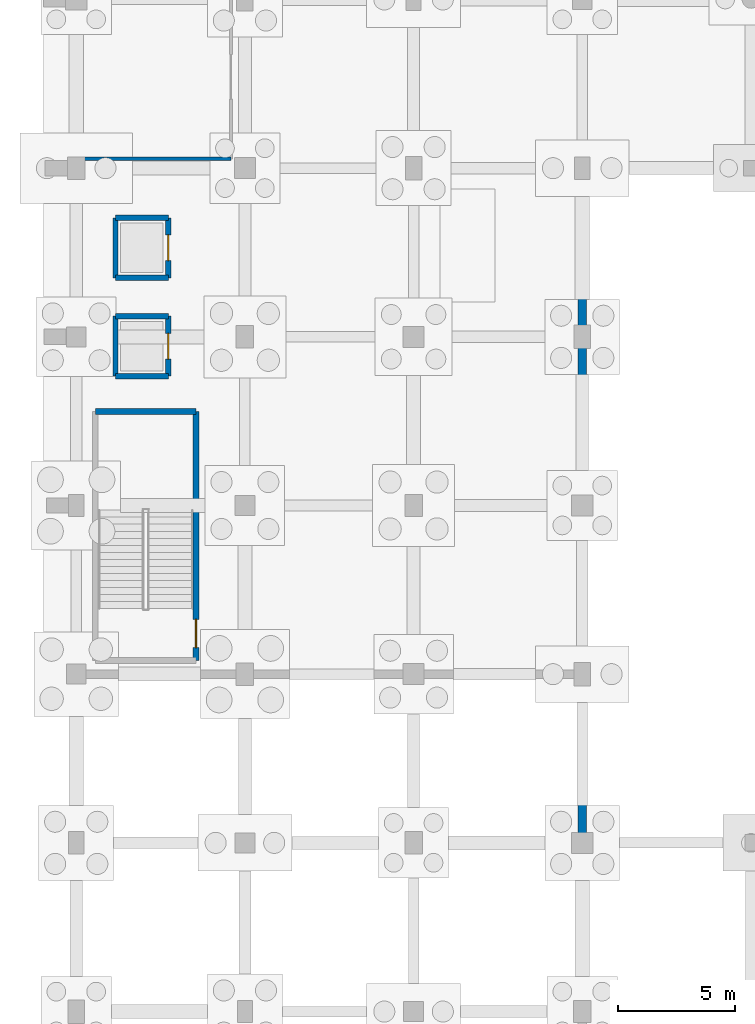
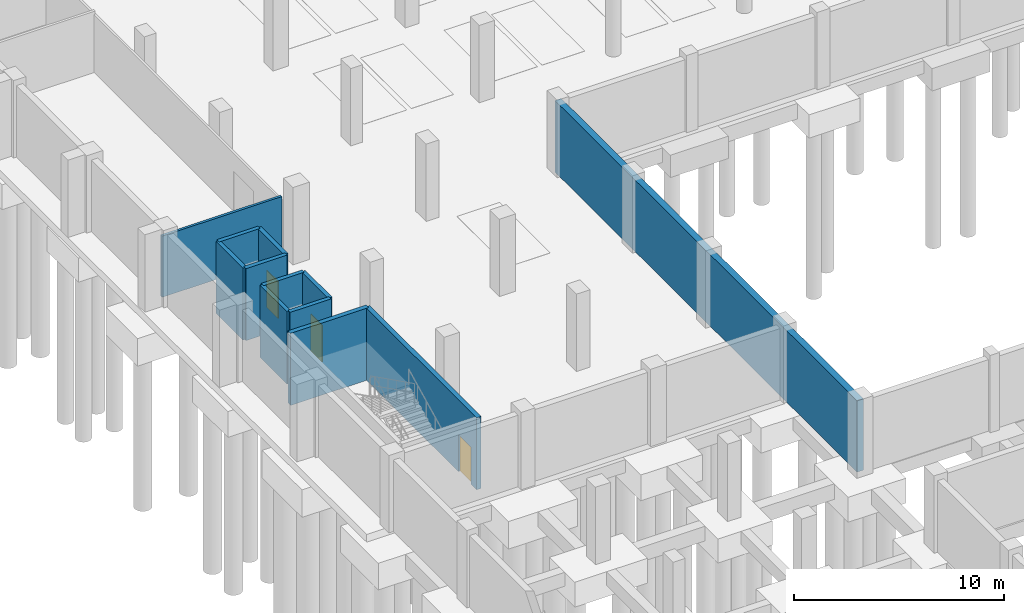
# One storey, part 20 of 35: 12 walls, 3 doors, 3 openings.
"""IFC4 building model written with IfcOpenShell, lengths in metres."""

from ifc_helpers import new_model, si_unit, direction, frame, frame_2d, origin, place, context, subcontext, project, spatial, rectangle, extrude, material, layer, layer_set, type_object, element, fill, save


model = new_model("IFC4")

# Units and contexts
model_context = context("Model", 3, precision=1e-05, world=origin(), true_north=direction((0.0, 1.0)))
body_context = subcontext(model_context, "Body", "Model", "MODEL_VIEW")
ifc_project = project(units=[si_unit("LENGTHUNIT", "METRE"), si_unit("AREAUNIT", "SQUARE_METRE"), si_unit("VOLUMEUNIT", "CUBIC_METRE"), si_unit("PLANEANGLEUNIT", "RADIAN"), si_unit("MASSUNIT", "GRAM", prefix="KILO")], contexts=[model_context])

# Site, building, storey
site_placement = place(None, origin())
site = spatial("IfcSite", under=ifc_project, at=site_placement, CompositionType="ELEMENT")
building_placement = place(site_placement, origin())
building = spatial("IfcBuilding", under=site, at=building_placement, Name="Kalluvel Institute of Natural Sciences", CompositionType="ELEMENT")
storey_placement = place(building_placement, frame((0.0, 0.0, -4.5)))
storey = spatial("IfcBuildingStorey", under=building, at=storey_placement, Name="B1", CompositionType="ELEMENT", Elevation=-4.5)

# Wall, opening, door
ifc_material_1 = material(Name="Concrete M40", Category="concrete")
ifc_layer_1 = layer(ifc_material_1, 0.25)
ifc_layer_set_1 = layer_set([ifc_layer_1], Name="Concrete M40")
wall_type_1 = type_object("IfcWallType", Name="WL-CORE-250", PredefinedType="SHEAR", material=ifc_layer_set_1)
wall_1_placement = place(storey_placement, frame((19.114990234375, 43.385009765625, 0.0), z_axis=(0.0, 0.0, 1.0), x_axis=(0.0, 1.0, 0.0)))
wall_1 = element("IfcWall", 1, at=wall_1_placement, inside=storey, type_object=wall_type_1, Name="ST4 B1 core wall E", PredefinedType="SHEAR", context=body_context, shape_type="SweptSolid", body=[
    extrude(rectangle(XDim=10.6298828125, YDim=0.25, at=frame_2d((5.31494140625, 0.0))), origin(), (0.0, 0.0, 1.0), 4.195068359375),
])
opening_1_placement = place(wall_1_placement, frame((0.550048828125, 0.0, 0.0)))
opening_1 = element("IfcOpeningElement", 2, at=opening_1_placement, cuts=wall_1, Name="Opening DS-034", PredefinedType="OPENING", context=body_context, shape_type="SweptSolid", body=[
    extrude(rectangle(XDim=1.199951171875, YDim=2.14990234375, at=frame_2d((0.60009765625, 1.074951171875))), frame((0.0, 0.135009765625, 0.0), z_axis=(0.0, -1.0, 0.0), x_axis=(1.0, 0.0, 0.0)), (0.0, 0.0, 1.0), 0.27001953125),
])
ifc_material_2 = material(Name="Galvanized Fire-Rated Steel", Category="steel")
door_type_1 = type_object("IfcDoorType", Name="DR-ST-1200", OperationType="NOTDEFINED", PredefinedType="DOOR", material=ifc_material_2)
door_1_placement = place(opening_1_placement, origin())
door_1 = element("IfcDoor", 3, at=door_1_placement, inside=storey, type_object=door_type_1, Name="ST4 B1 protected stair door DS-034", OperationType="SINGLE_SWING_LEFT", OverallHeight=2.14990234375, OverallWidth=1.199951171875, PredefinedType="DOOR", context=body_context, shape_type="SweptSolid", body=[
    extrude(rectangle(XDim=1.199951171875, YDim=2.14990234375, at=frame_2d((0.60009765625, 1.074951171875))), frame((0.0, 0.02490234375, 0.0), z_axis=(0.0, -1.0, 0.0), x_axis=(1.0, 0.0, 0.0)), (0.0, 0.0, 1.0), 0.050048828125),
])
fill(opening_1, door_1)

# Walls
wall_2_placement = place(storey_placement, frame((19.114990234375, 54.014892578125, 0.0), z_axis=(0.0, 0.0, 1.0), x_axis=(-1.0, 0.0, 0.0)))
element("IfcWall", 4, at=wall_2_placement, inside=storey, type_object=wall_type_1, Name="ST4 B1 core wall N", PredefinedType="SHEAR", context=body_context, shape_type="SweptSolid", body=[
    extrude(rectangle(XDim=4.300048828125, YDim=0.25, at=frame_2d((2.14990234375, 0.0))), origin(), (0.0, 0.0, 1.0), 4.195068359375),
])
ifc_material_3 = material(Name="Acoustic Gypsum Twin-Stud Partition", Category="gypsum")
ifc_layer_2 = layer(ifc_material_3, 0.139892578125)
ifc_layer_set_2 = layer_set([ifc_layer_2], Name="Acoustic Gypsum Twin-Stud Partition")
wall_type_2 = type_object("IfcWallType", Name="WL-PART-140", PredefinedType="PARTITIONING", material=ifc_layer_set_2)
wall_3_placement = place(storey_placement, frame((14.0, 64.800048828125, 0.0), z_axis=(0.0, 0.0, 1.0), x_axis=(1.0, 0.0, 0.0)))
element("IfcWall", 5, at=wall_3_placement, inside=storey, type_object=wall_type_2, Name="B1 interior partition wall WL-INT-B1-0017", PredefinedType="PARTITIONING", context=body_context, shape_type="SweptSolid", body=[
    extrude(rectangle(XDim=6.60009765625, YDim=0.139892578125, at=frame_2d((3.300048828125, 0.0))), origin(), (0.0, 0.0, 1.0), 3.56005859375),
])
ifc_layer_3 = layer(ifc_material_1, 0.35009765625)
ifc_layer_set_3 = layer_set([ifc_layer_3], Name="Concrete M40")
wall_type_3 = type_object("IfcWallType", Name="WL-RET-350", PredefinedType="USERDEFINED", material=ifc_layer_set_3)
wall_4_placement = place(storey_placement, frame((35.60009765625, 35.60009765625, 0.0), z_axis=(0.0, 0.0, 1.0), x_axis=(0.0, 1.0, 0.0)))
element("IfcWall", 6, at=wall_4_placement, inside=storey, type_object=wall_type_3, Name="Basement perimeter plinth retaining wall 18", ObjectType="RETAINING WALL", PredefinedType="USERDEFINED", context=body_context, shape_type="SweptSolid", body=[
    extrude(rectangle(XDim=28.7998046875, YDim=0.35009765625, at=frame_2d((14.39990234375, 0.0))), origin(), (0.0, 0.0, 1.0), 4.159912109375),
])
ifc_layer_4 = layer(ifc_material_1, 0.219970703125)
ifc_layer_set_4 = layer_set([ifc_layer_4], Name="Concrete M40")
wall_type_4 = type_object("IfcWallType", Name="WL-SHAFT-220", PredefinedType="SHEAR", material=ifc_layer_set_4)
wall_5_placement = place(storey_placement, frame((15.669921875, 55.52001953125, 0.0), z_axis=(0.0, 0.0, 1.0), x_axis=(1.0, 0.0, 0.0)))
element("IfcWall", 7, at=wall_5_placement, inside=storey, type_object=wall_type_4, Name="LF6 B1 lift shaft wall", PredefinedType="SHEAR", context=body_context, shape_type="SweptSolid", body=[
    extrude(rectangle(XDim=2.260009765625, YDim=0.219970703125, at=frame_2d((1.1298828125, 0.0))), origin(), (0.0, 0.0, 1.0), 4.195068359375),
])

# Wall, opening, door
wall_6_placement = place(storey_placement, frame((17.929931640625, 55.52001953125, 0.0), z_axis=(0.0, 0.0, 1.0), x_axis=(0.0, 1.0, 0.0)))
wall_6 = element("IfcWall", 8, at=wall_6_placement, inside=storey, type_object=wall_type_4, Name="LF6 B1 lift shaft wall", PredefinedType="SHEAR", context=body_context, shape_type="SweptSolid", body=[
    extrude(rectangle(XDim=2.56005859375, YDim=0.219970703125, at=frame_2d((1.280029296875, 0.0))), origin(), (0.0, 0.0, 1.0), 4.195068359375),
])
opening_2_placement = place(wall_6_placement, frame((0.72998046875, 0.0, 0.0)))
opening_2 = element("IfcOpeningElement", 9, at=opening_2_placement, cuts=wall_6, Name="Opening LD-043", PredefinedType="OPENING", context=body_context, shape_type="SweptSolid", body=[
    extrude(rectangle(XDim=1.10009765625, YDim=2.14990234375, at=frame_2d((0.550048828125, 1.074951171875))), frame((0.0, 0.119873046875, 0.0), z_axis=(0.0, -1.0, 0.0), x_axis=(1.0, 0.0, 0.0)), (0.0, 0.0, 1.0), 0.239990234375),
])
door_type_2 = type_object("IfcDoorType", Name="DR-LD-1100", OperationType="NOTDEFINED", PredefinedType="DOOR", material=ifc_material_2)
door_2_placement = place(opening_2_placement, origin())
door_2 = element("IfcDoor", 10, at=door_2_placement, inside=storey, type_object=door_type_2, Name="LF6 B1 sliding lift landing door LD-043", OperationType="DOUBLE_DOOR_SLIDING", OverallHeight=2.14990234375, OverallWidth=1.10009765625, PredefinedType="DOOR", context=body_context, shape_type="SweptSolid", body=[
    extrude(rectangle(XDim=1.10009765625, YDim=2.14990234375, at=frame_2d((0.550048828125, 1.074951171875))), frame((0.0, 0.02490234375, 0.0), z_axis=(0.0, -1.0, 0.0), x_axis=(1.0, 0.0, 0.0)), (0.0, 0.0, 1.0), 0.050048828125),
])
fill(opening_2, door_2)

# Walls
wall_7_placement = place(storey_placement, frame((17.929931640625, 58.080078125, 0.0), z_axis=(0.0, 0.0, 1.0), x_axis=(-1.0, 0.0, 0.0)))
element("IfcWall", 11, at=wall_7_placement, inside=storey, type_object=wall_type_4, Name="LF6 B1 lift shaft wall", PredefinedType="SHEAR", context=body_context, shape_type="SweptSolid", body=[
    extrude(rectangle(XDim=2.260009765625, YDim=0.219970703125, at=frame_2d((1.1298828125, 0.0))), origin(), (0.0, 0.0, 1.0), 4.195068359375),
])
wall_8_placement = place(storey_placement, frame((15.669921875, 58.080078125, 0.0), z_axis=(0.0, 0.0, 1.0), x_axis=(0.0, -1.0, 0.0)))
element("IfcWall", 12, at=wall_8_placement, inside=storey, type_object=wall_type_4, Name="LF6 B1 lift shaft wall", PredefinedType="SHEAR", context=body_context, shape_type="SweptSolid", body=[
    extrude(rectangle(XDim=2.56005859375, YDim=0.219970703125, at=frame_2d((1.280029296875, 0.0))), origin(), (0.0, 0.0, 1.0), 4.195068359375),
])
wall_9_placement = place(storey_placement, frame((15.669921875, 59.719970703125, 0.0), z_axis=(0.0, 0.0, 1.0), x_axis=(1.0, 0.0, 0.0)))
element("IfcWall", 13, at=wall_9_placement, inside=storey, type_object=wall_type_4, Name="LF7 B1 lift shaft wall", PredefinedType="SHEAR", context=body_context, shape_type="SweptSolid", body=[
    extrude(rectangle(XDim=2.260009765625, YDim=0.219970703125, at=frame_2d((1.1298828125, 0.0))), origin(), (0.0, 0.0, 1.0), 4.195068359375),
])

# Wall, opening, door
wall_10_placement = place(storey_placement, frame((17.929931640625, 59.719970703125, 0.0), z_axis=(0.0, 0.0, 1.0), x_axis=(0.0, 1.0, 0.0)))
wall_10 = element("IfcWall", 14, at=wall_10_placement, inside=storey, type_object=wall_type_4, Name="LF7 B1 lift shaft wall", PredefinedType="SHEAR", context=body_context, shape_type="SweptSolid", body=[
    extrude(rectangle(XDim=2.56005859375, YDim=0.219970703125, at=frame_2d((1.280029296875, 0.0))), origin(), (0.0, 0.0, 1.0), 4.195068359375),
])
opening_3_placement = place(wall_10_placement, frame((0.72998046875, 0.0, 0.0)))
opening_3 = element("IfcOpeningElement", 15, at=opening_3_placement, cuts=wall_10, Name="Opening LD-051", PredefinedType="OPENING", context=body_context, shape_type="SweptSolid", body=[
    extrude(rectangle(XDim=1.10009765625, YDim=2.14990234375, at=frame_2d((0.550048828125, 1.074951171875))), frame((0.0, 0.119873046875, 0.0), z_axis=(0.0, -1.0, 0.0), x_axis=(1.0, 0.0, 0.0)), (0.0, 0.0, 1.0), 0.239990234375),
])
door_3_placement = place(opening_3_placement, origin())
door_3 = element("IfcDoor", 16, at=door_3_placement, inside=storey, type_object=door_type_2, Name="LF7 B1 sliding lift landing door LD-051", OperationType="DOUBLE_DOOR_SLIDING", OverallHeight=2.14990234375, OverallWidth=1.10009765625, PredefinedType="DOOR", context=body_context, shape_type="SweptSolid", body=[
    extrude(rectangle(XDim=1.10009765625, YDim=2.14990234375, at=frame_2d((0.550048828125, 1.074951171875))), frame((0.0, 0.02490234375, 0.0), z_axis=(0.0, -1.0, 0.0), x_axis=(1.0, 0.0, 0.0)), (0.0, 0.0, 1.0), 0.050048828125),
])
fill(opening_3, door_3)

# Walls
wall_11_placement = place(storey_placement, frame((17.929931640625, 62.280029296875, 0.0), z_axis=(0.0, 0.0, 1.0), x_axis=(-1.0, 0.0, 0.0)))
element("IfcWall", 17, at=wall_11_placement, inside=storey, type_object=wall_type_4, Name="LF7 B1 lift shaft wall", PredefinedType="SHEAR", context=body_context, shape_type="SweptSolid", body=[
    extrude(rectangle(XDim=2.260009765625, YDim=0.219970703125, at=frame_2d((1.1298828125, 0.0))), origin(), (0.0, 0.0, 1.0), 4.195068359375),
])
wall_12_placement = place(storey_placement, frame((15.669921875, 62.280029296875, 0.0), z_axis=(0.0, 0.0, 1.0), x_axis=(0.0, -1.0, 0.0)))
element("IfcWall", 18, at=wall_12_placement, inside=storey, type_object=wall_type_4, Name="LF7 B1 lift shaft wall", PredefinedType="SHEAR", context=body_context, shape_type="SweptSolid", body=[
    extrude(rectangle(XDim=2.56005859375, YDim=0.219970703125, at=frame_2d((1.280029296875, 0.0))), origin(), (0.0, 0.0, 1.0), 4.195068359375),
])

save(model, "model.ifc")
